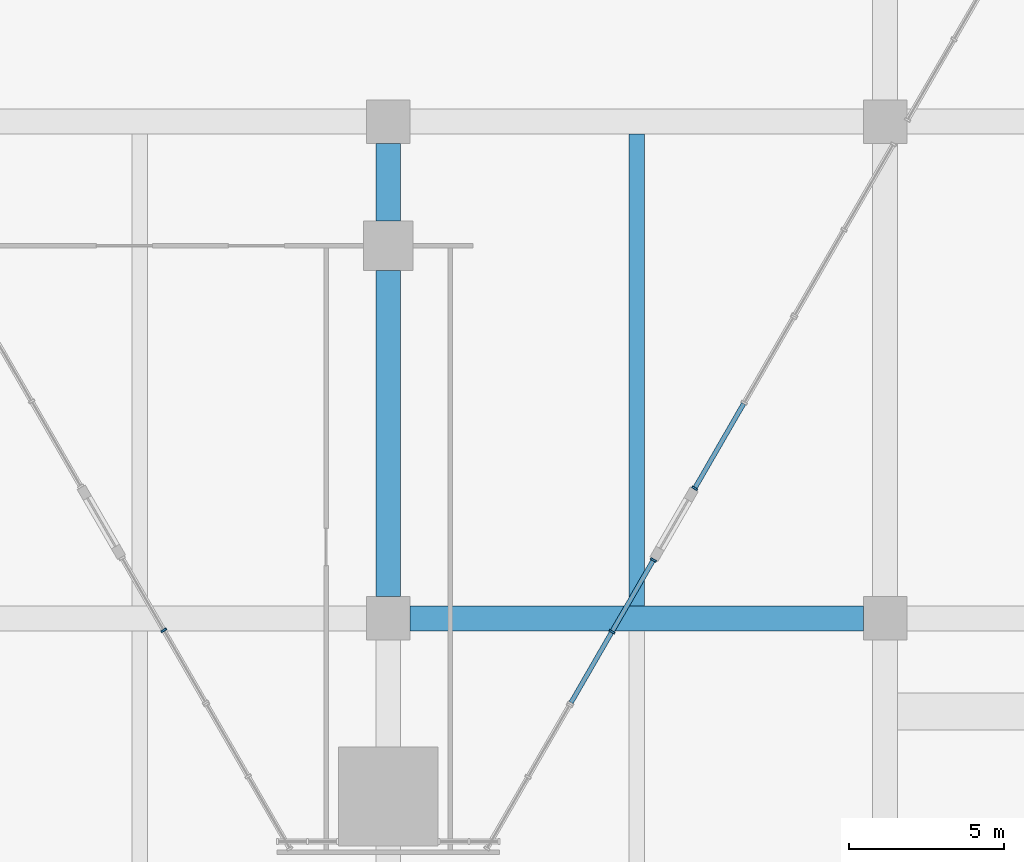
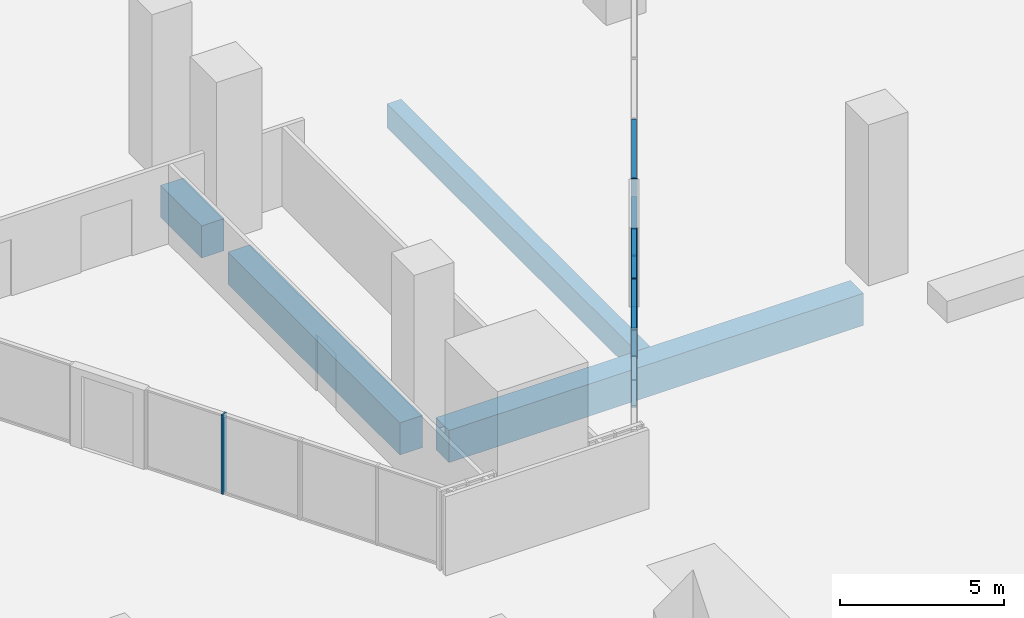
# One storey, part 5 of 25: 10 members, 4 beams, 3 elements without a shape of their own.
"""IFC4 building model written with IfcOpenShell, lengths in metres."""

from ifc_helpers import new_model, si_unit, direction, frame, origin, origin_2d, place, context, subcontext, project, spatial, rectangle, extrude, material, material_profile, profile_set, type_object, element, aggregate, save


model = new_model("IFC4")

# Units and contexts
model_context = context("Model", 3, precision=1e-05, world=origin(), true_north=direction((0.0, 1.0)))
body_context = subcontext(model_context, "Body", "Model", "MODEL_VIEW")
ifc_project = project(units=[si_unit("LENGTHUNIT", "METRE"), si_unit("AREAUNIT", "SQUARE_METRE"), si_unit("VOLUMEUNIT", "CUBIC_METRE"), si_unit("PLANEANGLEUNIT", "RADIAN"), si_unit("MASSUNIT", "GRAM", prefix="KILO")], contexts=[model_context])

# Site, building, storey
site_placement = place(None, origin())
site = spatial("IfcSite", under=ifc_project, at=site_placement, CompositionType="ELEMENT")
building_placement = place(site_placement, origin())
building = spatial("IfcBuilding", under=site, at=building_placement, Name="Calabash Gate Tower", CompositionType="ELEMENT")
storey_placement = place(building_placement, frame((0.0, 0.0, 40.0)))
storey = spatial("IfcBuildingStorey", under=building, at=storey_placement, Name="L05", CompositionType="ELEMENT", Elevation=40.0)

# Beams
ifc_material_1 = material(Name="Concrete C50/60", Category="concrete")
ifc_material_profile_1 = material_profile(ifc_material_1, rectangle(XDim=0.5, YDim=0.89990234375, at=origin_2d()))
ifc_profile_set_1 = profile_set([ifc_material_profile_1], Name="Concrete C50/60")
beam_type_1 = type_object("IfcBeamType", Name="Floor beam RC 500x900 Concrete C50/60", PredefinedType="BEAM", material=ifc_profile_set_1)
beam_1_placement = place(storey_placement, frame((8.0, -23.60009765625, -0.89990234375), z_axis=(0.0, 1.0, 0.0), x_axis=(-1.0, 0.0, 0.0)))
element("IfcBeam", 1, at=beam_1_placement, inside=storey, type_object=beam_type_1, Name="Floor beam L05 10", PredefinedType="BEAM", context=body_context, shape_type="SweptSolid", body=[
    extrude(rectangle(XDim=0.5, YDim=0.89990234375, at=origin_2d()), origin(), (0.0, 0.0, 1.0), 15.2001953125),
])
ifc_material_2 = material(Name="Concrete C50/60", Category="concrete")
ifc_material_profile_2 = material_profile(ifc_material_2, rectangle(XDim=0.800048828125, YDim=1.199951171875, at=origin_2d()))
ifc_profile_set_2 = profile_set([ifc_material_profile_2], Name="Concrete C50/60")
beam_type_2 = type_object("IfcBeamType", Name="Grid girder RC 800x1200 Concrete C50/60", PredefinedType="BEAM", material=ifc_profile_set_2)
beam_2_placement = place(storey_placement, frame((0.0, -23.300048828125, -1.050048828125), z_axis=(0.0, 1.0, 0.0), x_axis=(-1.0, 0.0, 0.0)))
element("IfcBeam", 2, at=beam_2_placement, inside=storey, type_object=beam_type_2, Name="Grid girder L05 11", PredefinedType="BEAM", context=body_context, shape_type="SweptSolid", body=[
    extrude(rectangle(XDim=0.800048828125, YDim=1.199951171875, at=origin_2d()), origin(), (0.0, 0.0, 1.0), 10.5),
])
beam_3_placement = place(storey_placement, frame((0.0, -11.199951171875, -1.050048828125), z_axis=(0.0, 1.0, 0.0), x_axis=(-1.0, 0.0, 0.0)))
element("IfcBeam", 3, at=beam_3_placement, inside=storey, type_object=beam_type_2, Name="Grid girder L05 12", PredefinedType="BEAM", context=body_context, shape_type="SweptSolid", body=[
    extrude(rectangle(XDim=0.800048828125, YDim=1.199951171875, at=origin_2d()), origin(), (0.0, 0.0, 1.0), 2.5),
])
beam_4_placement = place(storey_placement, frame((0.699951171875, -24.0, -1.050048828125), z_axis=(1.0, 0.0, 0.0), x_axis=(0.0, 1.0, 0.0)))
element("IfcBeam", 4, at=beam_4_placement, inside=storey, type_object=beam_type_2, Name="Grid girder L05 32", PredefinedType="BEAM", context=body_context, shape_type="SweptSolid", body=[
    extrude(rectangle(XDim=0.800048828125, YDim=1.199951171875, at=origin_2d()), origin(), (0.0, 0.0, 1.0), 14.60009765625),
])

# Curtain wall, member
ifc_material_3 = material(Name="Anodised aluminium frame, bronze finish, clear laminated impact-rated glazing", Category="aluminium")
curtain_wall_type = type_object("IfcCurtainWallType", Name="Curtain wall CWF podium shopfront", PredefinedType="NOTDEFINED", material=ifc_material_3)
curtain_wall_1_placement = place(storey_placement, origin())
curtain_wall_1 = element("IfcCurtainWall", 5, at=curtain_wall_1_placement, inside=storey, type_object=curtain_wall_type, Name="Curtain wall CWF L05 lobby 0.3.0", PredefinedType="NOTDEFINED")
ifc_material_4 = material(Name="Anodised aluminium frame, bronze finish", Category="aluminium")
ifc_material_profile_3 = material_profile(ifc_material_4, rectangle(XDim=0.199951171875, YDim=0.06494140625, at=origin_2d()))
ifc_profile_set_3 = profile_set([ifc_material_profile_3], Name="Anodised aluminium frame, bronze finish")
member_type_1 = type_object("IfcMemberType", Name="Mullion CWF 65x200", PredefinedType="MULLION", material=ifc_profile_set_3)
member_1_placement = place(storey_placement, frame((-7.229736328125, -24.383056640625, 0.0), z_axis=(0.0, 0.0, 1.0), x_axis=(0.866025395773, 0.500000013876, 0.0)))
member_1 = element("IfcMember", 6, at=member_1_placement, type_object=member_type_1, Name="CWF mullion 2", PredefinedType="MULLION", context=body_context, shape_type="SweptSolid", body=[
    extrude(rectangle(XDim=0.199951171875, YDim=0.06494140625, at=origin_2d()), origin(), (0.0, 0.0, 1.0), 2.949951171875),
])
aggregate(curtain_wall_1, [member_1])

# Curtain wall, members
curtain_wall_2_placement = place(storey_placement, origin())
curtain_wall_2 = element("IfcCurtainWall", 7, at=curtain_wall_2_placement, inside=storey, type_object=curtain_wall_type, Name="Curtain wall CWF L05 lobby 2.0.1", PredefinedType="NOTDEFINED")
member_2_placement = place(storey_placement, frame((7.203369140625, -24.4287109375, 0.0), z_axis=(0.0, 0.0, 1.0), x_axis=(-0.86602539189, 0.500000020602, 0.0)))
member_2 = element("IfcMember", 8, at=member_2_placement, type_object=member_type_1, Name="CWF mullion 2", PredefinedType="MULLION", context=body_context, shape_type="SweptSolid", body=[
    extrude(rectangle(XDim=0.199951171875, YDim=0.06494140625, at=origin_2d()), origin(), (0.0, 0.0, 1.0), 2.949951171875),
])
member_3_placement = place(storey_placement, frame((8.536376953125, -22.119873046875, 0.0), z_axis=(0.0, 0.0, 1.0), x_axis=(-0.86602539189, 0.500000020602, 0.0)))
member_3 = element("IfcMember", 9, at=member_3_placement, type_object=member_type_1, Name="CWF mullion 3", PredefinedType="MULLION", context=body_context, shape_type="SweptSolid", body=[
    extrude(rectangle(XDim=0.199951171875, YDim=0.06494140625, at=origin_2d()), origin(), (0.0, 0.0, 1.0), 2.949951171875),
])

# Curtain wall, member
curtain_wall_3_placement = place(storey_placement, origin())
curtain_wall_3 = element("IfcCurtainWall", 10, at=curtain_wall_3_placement, inside=storey, type_object=curtain_wall_type, Name="Curtain wall CWF L05 lobby 2.1.0", PredefinedType="NOTDEFINED")
member_4_placement = place(storey_placement, frame((9.868896484375, -19.811767578125, 0.0), z_axis=(0.0, 0.0, 1.0), x_axis=(-0.866025423864, 0.49999996522, 0.0)))
member_4 = element("IfcMember", 11, at=member_4_placement, type_object=member_type_1, Name="CWF mullion 1", PredefinedType="MULLION", context=body_context, shape_type="SweptSolid", body=[
    extrude(rectangle(XDim=0.199951171875, YDim=0.06494140625, at=origin_2d()), origin(), (0.0, 0.0, 1.0), 2.949951171875),
])

# Member
ifc_material_5 = material(Name="Anodised aluminium frame, bronze finish", Category="aluminium")
ifc_material_profile_4 = material_profile(ifc_material_5, rectangle(XDim=0.14990234375, YDim=0.06494140625, at=origin_2d()))
ifc_profile_set_4 = profile_set([ifc_material_profile_4], Name="Anodised aluminium frame, bronze finish")
member_type_2 = type_object("IfcMemberType", Name="Transom CWF 65x150", PredefinedType="USERDEFINED", material=ifc_profile_set_4)
member_5_placement = place(storey_placement, frame((5.886474609375, -26.70947265625, 0.032470703125), z_axis=(0.499985151451, 0.866033976429, 0.0), x_axis=(-0.866033976429, 0.499985151451, 0.0)))
member_5 = element("IfcMember", 12, at=member_5_placement, type_object=member_type_2, Name="CWF transom 1.1", ObjectType="TRANSOM", PredefinedType="USERDEFINED", context=body_context, shape_type="SweptSolid", body=[
    extrude(rectangle(XDim=0.14990234375, YDim=0.06494140625, at=origin_2d()), origin(), (0.0, 0.0, 1.0), 2.60107421875),
])

member_6_placement = place(storey_placement, frame((5.886474609375, -26.70947265625, 2.91748046875), z_axis=(0.499985151451, 0.866033976429, 0.0), x_axis=(-0.866033976429, 0.499985151451, 0.0)))
member_6 = element("IfcMember", 13, at=member_6_placement, type_object=member_type_2, Name="CWF transom 1.2", ObjectType="TRANSOM", PredefinedType="USERDEFINED", context=body_context, shape_type="SweptSolid", body=[
    extrude(rectangle(XDim=0.14990234375, YDim=0.06494140625, at=origin_2d()), origin(), (0.0, 0.0, 1.0), 2.60107421875),
])

member_7_placement = place(storey_placement, frame((7.219482421875, -24.400634765625, 0.032470703125), z_axis=(0.499985151451, 0.866033976429, 0.0), x_axis=(-0.866033976429, 0.499985151451, 0.0)))
member_7 = element("IfcMember", 14, at=member_7_placement, type_object=member_type_2, Name="CWF transom 2.1", ObjectType="TRANSOM", PredefinedType="USERDEFINED", context=body_context, shape_type="SweptSolid", body=[
    extrude(rectangle(XDim=0.14990234375, YDim=0.06494140625, at=origin_2d()), origin(), (0.0, 0.0, 1.0), 2.60107421875),
])

member_8_placement = place(storey_placement, frame((7.219482421875, -24.400634765625, 2.91748046875), z_axis=(0.499985151451, 0.866033976429, 0.0), x_axis=(-0.866033976429, 0.499985151451, 0.0)))
member_8 = element("IfcMember", 15, at=member_8_placement, type_object=member_type_2, Name="CWF transom 2.2", ObjectType="TRANSOM", PredefinedType="USERDEFINED", context=body_context, shape_type="SweptSolid", body=[
    extrude(rectangle(XDim=0.14990234375, YDim=0.06494140625, at=origin_2d()), origin(), (0.0, 0.0, 1.0), 2.60107421875),
])

aggregate(curtain_wall_2, [member_2, member_3, member_5, member_6, member_7, member_8])

member_9_placement = place(storey_placement, frame((9.885009765625, -19.78369140625, 0.032470703125), z_axis=(0.500004896655, 0.866022576681, 0.0), x_axis=(-0.866022576681, 0.500004896655, 0.0)))
member_9 = element("IfcMember", 16, at=member_9_placement, type_object=member_type_2, Name="CWF transom 1.1", ObjectType="TRANSOM", PredefinedType="USERDEFINED", context=body_context, shape_type="SweptSolid", body=[
    extrude(rectangle(XDim=0.14990234375, YDim=0.06494140625, at=origin_2d()), origin(), (0.0, 0.0, 1.0), 3.11767578125),
])

member_10_placement = place(storey_placement, frame((9.885009765625, -19.78369140625, 2.91748046875), z_axis=(0.500004896655, 0.866022576681, 0.0), x_axis=(-0.866022576681, 0.500004896655, 0.0)))
member_10 = element("IfcMember", 17, at=member_10_placement, type_object=member_type_2, Name="CWF transom 1.2", ObjectType="TRANSOM", PredefinedType="USERDEFINED", context=body_context, shape_type="SweptSolid", body=[
    extrude(rectangle(XDim=0.14990234375, YDim=0.06494140625, at=origin_2d()), origin(), (0.0, 0.0, 1.0), 3.11767578125),
])

aggregate(curtain_wall_3, [member_4, member_9, member_10])

save(model, "model.ifc")
